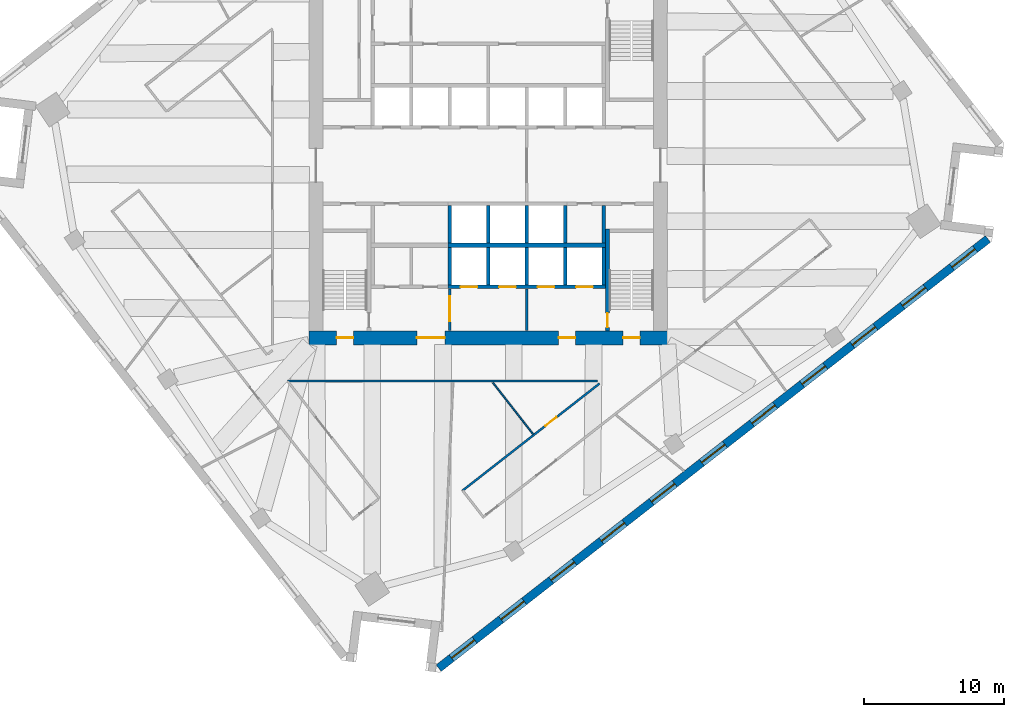
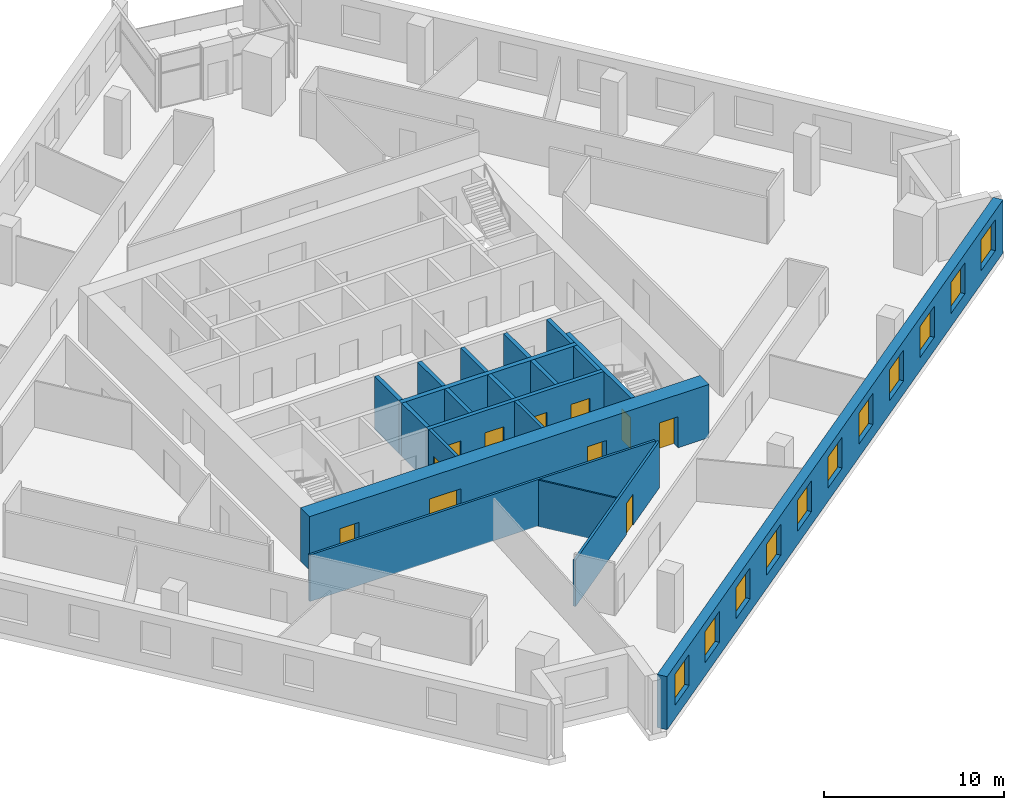
# One storey, part 5 of 11: 20 walls, 11 doors, 11 windows, 22 openings.
"""IFC4 building model written with IfcOpenShell, lengths in metres."""

from ifc_helpers import new_model, si_unit, direction, frame, frame_2d, origin, place, context, subcontext, project, spatial, rectangle, extrude, material, layer, layer_set, type_object, element, fill, save


model = new_model("IFC4")

# Units and contexts
model_context = context("Model", 3, precision=1e-05, world=origin(), true_north=direction((0.0, 1.0)))
body_context = subcontext(model_context, "Body", "Model", "MODEL_VIEW")
ifc_project = project(units=[si_unit("LENGTHUNIT", "METRE"), si_unit("AREAUNIT", "SQUARE_METRE"), si_unit("VOLUMEUNIT", "CUBIC_METRE"), si_unit("PLANEANGLEUNIT", "RADIAN"), si_unit("MASSUNIT", "GRAM", prefix="KILO")], contexts=[model_context])

# Site, building, storey
site_placement = place(None, origin())
site = spatial("IfcSite", under=ifc_project, at=site_placement, CompositionType="ELEMENT")
building_placement = place(site_placement, origin())
building = spatial("IfcBuilding", under=site, at=building_placement, Name="Dilmun Exchange Tower", CompositionType="ELEMENT")
storey_placement = place(building_placement, frame((0.0, 0.0, 179.699951171875)))
storey = spatial("IfcBuildingStorey", under=building, at=storey_placement, Name="L42", CompositionType="ELEMENT", Elevation=179.699951171875)

# Wall, opening, door
ifc_material_1 = material(Name="Concrete C40/50", Category="concrete")
ifc_layer_1 = layer(ifc_material_1, 0.199951171875)
ifc_layer_set_1 = layer_set([ifc_layer_1], Name="Concrete C40/50")
wall_type_1 = type_object("IfcWallType", Name="Core partition wall 200", PredefinedType="PARTITIONING", material=ifc_layer_set_1)
wall_1_placement = place(storey_placement, frame((-2.75, -11.794921875, 0.0), z_axis=(0.0, 0.0, 1.0), x_axis=(0.0, 1.0, 0.0)))
wall_1 = element("IfcWall", 1, at=wall_1_placement, inside=storey, type_object=wall_type_1, Name="L42 core partition wall 01", PredefinedType="PARTITIONING", context=body_context, shape_type="SweptSolid", body=[
    extrude(rectangle(XDim=2.989990234375, YDim=0.199951171875, at=frame_2d((1.4951171875, 0.0))), origin(), (0.0, 0.0, 1.0), 3.60009765625),
])
opening_1_placement = place(wall_1_placement, frame((0.657470703125, 0.0, 0.0)))
opening_1 = element("IfcOpeningElement", 2, at=opening_1_placement, cuts=wall_1, Name="Opening CD5", PredefinedType="OPENING", context=body_context, shape_type="SweptSolid", body=[
    extrude(rectangle(XDim=1.800048828125, YDim=2.10009765625, at=frame_2d((0.89990234375, 1.050048828125))), frame((0.0, 0.10986328125, 0.0), z_axis=(0.0, -1.0, 0.0), x_axis=(1.0, 0.0, 0.0)), (0.0, 0.0, 1.0), 0.219970703125),
])
ifc_material_2 = material(Name="Fire-rated steel door set", Category="steel")
door_type_1 = type_object("IfcDoorType", Name="Stair exit door 1800x2100", OperationType="SINGLE_SWING_LEFT", PredefinedType="DOOR", material=ifc_material_2)
door_1_placement = place(opening_1_placement, origin())
door_1 = element("IfcDoor", 3, at=door_1_placement, inside=storey, type_object=door_type_1, Name="L42 door Service lobby east", OperationType="SINGLE_SWING_LEFT", OverallHeight=2.10009765625, OverallWidth=1.800048828125, PredefinedType="DOOR", context=body_context, shape_type="SweptSolid", body=[
    extrude(rectangle(XDim=1.800048828125, YDim=2.10009765625, at=frame_2d((0.89990234375, 1.050048828125))), frame((0.0, 0.02490234375, 0.0), z_axis=(0.0, -1.0, 0.0), x_axis=(1.0, 0.0, 0.0)), (0.0, 0.0, 1.0), 0.050048828125),
])
fill(opening_1, door_1)

# Walls
wall_2_placement = place(storey_placement, frame((2.75, -11.794921875, 0.0), z_axis=(0.0, 0.0, 1.0), x_axis=(0.0, 1.0, 0.0)))
element("IfcWall", 4, at=wall_2_placement, inside=storey, type_object=wall_type_1, Name="L42 core partition wall 02", PredefinedType="PARTITIONING", context=body_context, shape_type="SweptSolid", body=[
    extrude(rectangle(XDim=2.989990234375, YDim=0.199951171875, at=frame_2d((1.4951171875, 0.0))), origin(), (0.0, 0.0, 1.0), 3.60009765625),
])
ifc_layer_2 = layer(ifc_material_1, 0.25)
ifc_layer_set_2 = layer_set([ifc_layer_2], Name="Concrete C40/50")
wall_type_2 = type_object("IfcWallType", Name="Core partition wall 250", PredefinedType="PARTITIONING", material=ifc_layer_set_2)
wall_3_placement = place(storey_placement, frame((8.25, -5.544921875, 0.0), z_axis=(0.0, 0.0, 1.0), x_axis=(0.0, 1.0, 0.0)))
element("IfcWall", 5, at=wall_3_placement, inside=storey, type_object=wall_type_2, Name="L42 core partition wall 08", PredefinedType="PARTITIONING", context=body_context, shape_type="SweptSolid", body=[
    extrude(rectangle(XDim=2.68994140625, YDim=0.25, at=frame_2d((1.344970703125, 0.0))), origin(), (0.0, 0.0, 1.0), 3.60009765625),
])

# Wall, openings, doors
ifc_material_3 = material(Name="Concrete C70/85", Category="concrete")
ifc_layer_3 = layer(ifc_material_3, 1.0)
ifc_layer_set_3 = layer_set([ifc_layer_3], Name="Concrete C70/85")
wall_type_3 = type_object("IfcWallType", Name="Core shear wall 1000 Concrete C70/85", PredefinedType="SHEAR", material=ifc_layer_set_3)
wall_4_placement = place(storey_placement, frame((-12.800048828125, -12.300048828125, 0.0), z_axis=(0.0, 0.0, 1.0), x_axis=(1.0, 0.0, 0.0)))
wall_4 = element("IfcWall", 6, at=wall_4_placement, inside=storey, type_object=wall_type_3, Name="L42 core shear wall S", PredefinedType="SHEAR", context=body_context, shape_type="SweptSolid", body=[
    extrude(rectangle(XDim=25.60009765625, YDim=1.0, at=frame_2d((12.800048828125, 0.0))), origin(), (0.0, 0.0, 1.0), 3.60009765625),
])
opening_2_placement = place(wall_4_placement, frame((7.699951171875, 0.0, 0.0)))
opening_2 = element("IfcOpeningElement", 7, at=opening_2_placement, cuts=wall_4, Name="Opening CD2", PredefinedType="OPENING", context=body_context, shape_type="SweptSolid", body=[
    extrude(rectangle(XDim=2.0, YDim=2.10009765625, at=frame_2d((1.0, 1.050048828125))), frame((0.0, 0.510009765625, 0.0), z_axis=(0.0, -1.0, 0.0), x_axis=(1.0, 0.0, 0.0)), (0.0, 0.0, 1.0), 1.02001953125),
])
opening_3_placement = place(wall_4_placement, frame((17.824951171875, 0.0, 0.0)))
opening_3 = element("IfcOpeningElement", 8, at=opening_3_placement, cuts=wall_4, Name="Opening CD3", PredefinedType="OPENING", context=body_context, shape_type="SweptSolid", body=[
    extrude(rectangle(XDim=1.199951171875, YDim=2.10009765625, at=frame_2d((0.60009765625, 1.050048828125))), frame((0.0, 0.510009765625, 0.0), z_axis=(0.0, -1.0, 0.0), x_axis=(1.0, 0.0, 0.0)), (0.0, 0.0, 1.0), 1.02001953125),
])
opening_4_placement = place(wall_4_placement, frame((1.97509765625, 0.0, 0.0)))
opening_4 = element("IfcOpeningElement", 9, at=opening_4_placement, cuts=wall_4, Name="Opening CD3", PredefinedType="OPENING", context=body_context, shape_type="SweptSolid", body=[
    extrude(rectangle(XDim=1.199951171875, YDim=2.10009765625, at=frame_2d((0.60009765625, 1.050048828125))), frame((0.0, 0.510009765625, 0.0), z_axis=(0.0, -1.0, 0.0), x_axis=(1.0, 0.0, 0.0)), (0.0, 0.0, 1.0), 1.02001953125),
])
opening_5_placement = place(wall_4_placement, frame((22.425048828125, 0.0, 0.0)))
opening_5 = element("IfcOpeningElement", 10, at=opening_5_placement, cuts=wall_4, Name="Opening CD3", PredefinedType="OPENING", context=body_context, shape_type="SweptSolid", body=[
    extrude(rectangle(XDim=1.199951171875, YDim=2.10009765625, at=frame_2d((0.60009765625, 1.050048828125))), frame((0.0, 0.510009765625, 0.0), z_axis=(0.0, -1.0, 0.0), x_axis=(1.0, 0.0, 0.0)), (0.0, 0.0, 1.0), 1.02001953125),
])
door_type_2 = type_object("IfcDoorType", Name="Core service door 2000x2100", OperationType="DOUBLE_DOOR_DOUBLE_SWING", PredefinedType="DOOR", material=ifc_material_2)
door_2_placement = place(opening_2_placement, origin())
door_2 = element("IfcDoor", 11, at=door_2_placement, inside=storey, type_object=door_type_2, Name="L42 door South service lobby", OperationType="SINGLE_SWING_LEFT", OverallHeight=2.10009765625, OverallWidth=2.0, PredefinedType="DOOR", context=body_context, shape_type="SweptSolid", body=[
    extrude(rectangle(XDim=2.0, YDim=2.10009765625, at=frame_2d((1.0, 1.050048828125))), frame((0.0, 0.02490234375, 0.0), z_axis=(0.0, -1.0, 0.0), x_axis=(1.0, 0.0, 0.0)), (0.0, 0.0, 1.0), 0.050048828125),
])
fill(opening_2, door_2)
door_type_3 = type_object("IfcDoorType", Name="Stair exit door 1200x2100", OperationType="SINGLE_SWING_LEFT", PredefinedType="DOOR", material=ifc_material_2)
door_3_placement = place(opening_3_placement, origin())
door_3 = element("IfcDoor", 12, at=door_3_placement, inside=storey, type_object=door_type_3, Name="L42 door Fire-fighting lobby", OperationType="SINGLE_SWING_LEFT", OverallHeight=2.10009765625, OverallWidth=1.199951171875, PredefinedType="DOOR", context=body_context, shape_type="SweptSolid", body=[
    extrude(rectangle(XDim=1.199951171875, YDim=2.10009765625, at=frame_2d((0.60009765625, 1.050048828125))), frame((0.0, 0.02490234375, 0.0), z_axis=(0.0, -1.0, 0.0), x_axis=(1.0, 0.0, 0.0)), (0.0, 0.0, 1.0), 0.050048828125),
])
fill(opening_3, door_3)
door_4_placement = place(opening_4_placement, origin())
door_4 = element("IfcDoor", 13, at=door_4_placement, inside=storey, type_object=door_type_3, Name="L42 door Stair ST2", OperationType="SINGLE_SWING_LEFT", OverallHeight=2.10009765625, OverallWidth=1.199951171875, PredefinedType="DOOR", context=body_context, shape_type="SweptSolid", body=[
    extrude(rectangle(XDim=1.199951171875, YDim=2.10009765625, at=frame_2d((0.60009765625, 1.050048828125))), frame((0.0, 0.02490234375, 0.0), z_axis=(0.0, -1.0, 0.0), x_axis=(1.0, 0.0, 0.0)), (0.0, 0.0, 1.0), 0.050048828125),
])
fill(opening_4, door_4)
door_5_placement = place(opening_5_placement, origin())
door_5 = element("IfcDoor", 14, at=door_5_placement, inside=storey, type_object=door_type_3, Name="L42 door Stair ST3", OperationType="SINGLE_SWING_LEFT", OverallHeight=2.10009765625, OverallWidth=1.199951171875, PredefinedType="DOOR", context=body_context, shape_type="SweptSolid", body=[
    extrude(rectangle(XDim=1.199951171875, YDim=2.10009765625, at=frame_2d((0.60009765625, 1.050048828125))), frame((0.0, 0.02490234375, 0.0), z_axis=(0.0, -1.0, 0.0), x_axis=(1.0, 0.0, 0.0)), (0.0, 0.0, 1.0), 0.050048828125),
])
fill(opening_5, door_5)

# Wall
ifc_material_4 = material(Name="Corridor wall 150")
ifc_layer_4 = layer(ifc_material_4, 0.14990234375)
ifc_layer_set_4 = layer_set([ifc_layer_4], Name="Corridor wall 150")
wall_type_4 = type_object("IfcWallType", Name="Corridor wall 150", PredefinedType="PARTITIONING", material=ifc_layer_set_4)
wall_5_placement = place(storey_placement, frame((-14.31201171875, -15.39990234375, 0.0), z_axis=(0.0, 0.0, 1.0), x_axis=(1.0, 0.0, 0.0)))
element("IfcWall", 15, at=wall_5_placement, inside=storey, type_object=wall_type_4, Name="Corridor wall", PredefinedType="PARTITIONING", context=body_context, shape_type="SweptSolid", body=[
    extrude(rectangle(XDim=22.125, YDim=0.14990234375, at=frame_2d((11.0625, 0.0))), origin(), (0.0, 0.0, 1.0), 3.150146484375),
])

# Wall, opening, door
wall_6_placement = place(storey_placement, frame((-1.824951171875, -23.202880859375, 0.0), z_axis=(0.0, 0.0, 1.0), x_axis=(0.788016612455, 0.615653976269, 0.0)))
wall_6 = element("IfcWall", 16, at=wall_6_placement, inside=storey, type_object=wall_type_4, Name="Corridor wall", PredefinedType="PARTITIONING", context=body_context, shape_type="SweptSolid", body=[
    extrude(rectangle(XDim=12.3994140625, YDim=0.14990234375, at=frame_2d((6.19970703125, 0.0))), origin(), (0.0, 0.0, 1.0), 3.150146484375),
])
opening_6_placement = place(wall_6_placement, frame((7.4921875, 0.0, 0.0)))
opening_6 = element("IfcOpeningElement", 17, at=opening_6_placement, cuts=wall_6, Name="Opening TF41-D12", PredefinedType="OPENING", context=body_context, shape_type="SweptSolid", body=[
    extrude(rectangle(XDim=1.0, YDim=2.10009765625, at=frame_2d((0.5, 1.050048828125))), frame((0.0, 0.0849609375, 0.0), z_axis=(0.0, -1.0, 0.0), x_axis=(1.0, 0.0, 0.0)), (0.0, 0.0, 1.0), 0.169921875),
])
ifc_material_5 = material(Name="Fire door 1000 x 2100")
door_type_4 = type_object("IfcDoorType", Name="Fire door 1000 x 2100", OperationType="NOTDEFINED", PredefinedType="DOOR", material=ifc_material_5)
door_6_placement = place(opening_6_placement, origin())
door_6 = element("IfcDoor", 18, at=door_6_placement, inside=storey, type_object=door_type_4, Name="Door TF41-D12", OperationType="SINGLE_SWING_LEFT", OverallHeight=2.10009765625, OverallWidth=1.0, PredefinedType="DOOR", context=body_context, shape_type="SweptSolid", body=[
    extrude(rectangle(XDim=1.0, YDim=2.10009765625, at=frame_2d((0.5, 1.050048828125))), frame((0.0, 0.02490234375, 0.0), z_axis=(0.0, -1.0, 0.0), x_axis=(1.0, 0.0, 0.0)), (0.0, 0.0, 1.0), 0.050048828125),
])
fill(opening_6, door_6)

# Walls
ifc_layer_5 = layer(ifc_material_1, 0.300048828125)
ifc_layer_set_5 = layer_set([ifc_layer_5], Name="Concrete C40/50")
wall_type_5 = type_object("IfcWallType", Name="Lift shaft shared wall 300", PredefinedType="SOLIDWALL", material=ifc_layer_set_5)
wall_7_placement = place(storey_placement, frame((-2.875, -5.699951171875, 0.0), z_axis=(0.0, 0.0, 1.0), x_axis=(1.0, 0.0, 0.0)))
element("IfcWall", 19, at=wall_7_placement, inside=storey, type_object=wall_type_5, Name="L42 lift shaft rear wall S", PredefinedType="SOLIDWALL", context=body_context, shape_type="SweptSolid", body=[
    extrude(rectangle(XDim=11.25, YDim=0.300048828125, at=frame_2d((5.625, 0.0))), origin(), (0.0, 0.0, 1.0), 3.60009765625),
])
ifc_layer_6 = layer(ifc_material_1, 0.25)
ifc_layer_set_6 = layer_set([ifc_layer_6], Name="Concrete C40/50")
wall_type_6 = type_object("IfcWallType", Name="Lift shaft wall 250", PredefinedType="SOLIDWALL", material=ifc_layer_set_6)
for number, where, z_axis, x_axis, name in (
    (20, (-2.75, -5.550048828125, 0.0), (0.0, 0.0, 1.0), (0.0, 1.0, 0.0), "L42 lift shaft divider S12"),
    (21, (0.0, -5.550048828125, 0.0), (0.0, 0.0, 1.0), (0.0, 1.0, 0.0), "L42 lift shaft divider S13"),
    (22, (2.75, -5.550048828125, 0.0), (0.0, 0.0, 1.0), (0.0, 1.0, 0.0), "L42 lift shaft divider S14"),
    (23, (5.5, -5.550048828125, 0.0), (0.0, 0.0, 1.0), (0.0, 1.0, 0.0), "L42 lift shaft divider S15"),
):
    element("IfcWall", number, at=place(storey_placement, frame(where, z_axis=z_axis, x_axis=x_axis)), inside=storey, type_object=wall_type_6, Name=name, PredefinedType="SOLIDWALL", context=body_context, shape_type="SweptSolid", body=[
        extrude(rectangle(XDim=2.699951171875, YDim=0.25, at=frame_2d((1.35009765625, 0.0))), origin(), (0.0, 0.0, 1.0), 3.60009765625),
    ])

# Wall, openings, doors
wall_8_placement = place(storey_placement, frame((-2.875, -8.675048828125, 0.0), z_axis=(0.0, 0.0, 1.0), x_axis=(1.0, 0.0, 0.0)))
wall_8 = element("IfcWall", 24, at=wall_8_placement, inside=storey, type_object=wall_type_6, Name="L42 lift shaft front wall S2", PredefinedType="SOLIDWALL", context=body_context, shape_type="SweptSolid", body=[
    extrude(rectangle(XDim=11.25, YDim=0.25, at=frame_2d((5.625, 0.0))), origin(), (0.0, 0.0, 1.0), 3.60009765625),
])
opening_7_placement = place(wall_8_placement, frame((0.89990234375, 0.0, 0.0)))
opening_7 = element("IfcOpeningElement", 25, at=opening_7_placement, cuts=wall_8, Name="Opening LD", PredefinedType="OPENING", context=body_context, shape_type="SweptSolid", body=[
    extrude(rectangle(XDim=1.199951171875, YDim=2.10009765625, at=frame_2d((0.60009765625, 1.050048828125))), frame((0.0, 0.135009765625, 0.0), z_axis=(0.0, -1.0, 0.0), x_axis=(1.0, 0.0, 0.0)), (0.0, 0.0, 1.0), 0.27001953125),
])
opening_8_placement = place(wall_8_placement, frame((3.64990234375, 0.0, 0.0)))
opening_8 = element("IfcOpeningElement", 26, at=opening_8_placement, cuts=wall_8, Name="Opening LD", PredefinedType="OPENING", context=body_context, shape_type="SweptSolid", body=[
    extrude(rectangle(XDim=1.199951171875, YDim=2.10009765625, at=frame_2d((0.60009765625, 1.050048828125))), frame((0.0, 0.135009765625, 0.0), z_axis=(0.0, -1.0, 0.0), x_axis=(1.0, 0.0, 0.0)), (0.0, 0.0, 1.0), 0.27001953125),
])
opening_9_placement = place(wall_8_placement, frame((6.39990234375, 0.0, 0.0)))
opening_9 = element("IfcOpeningElement", 27, at=opening_9_placement, cuts=wall_8, Name="Opening LD", PredefinedType="OPENING", context=body_context, shape_type="SweptSolid", body=[
    extrude(rectangle(XDim=1.199951171875, YDim=2.10009765625, at=frame_2d((0.60009765625, 1.050048828125))), frame((0.0, 0.135009765625, 0.0), z_axis=(0.0, -1.0, 0.0), x_axis=(1.0, 0.0, 0.0)), (0.0, 0.0, 1.0), 0.27001953125),
])
opening_10_placement = place(wall_8_placement, frame((9.14990234375, 0.0, 0.0)))
opening_10 = element("IfcOpeningElement", 28, at=opening_10_placement, cuts=wall_8, Name="Opening LD", PredefinedType="OPENING", context=body_context, shape_type="SweptSolid", body=[
    extrude(rectangle(XDim=1.199951171875, YDim=2.10009765625, at=frame_2d((0.60009765625, 1.050048828125))), frame((0.0, 0.135009765625, 0.0), z_axis=(0.0, -1.0, 0.0), x_axis=(1.0, 0.0, 0.0)), (0.0, 0.0, 1.0), 0.27001953125),
])
door_type_5 = type_object("IfcDoorType", Name="Lift landing door 1200x2100", OperationType="DOUBLE_DOOR_SLIDING", PredefinedType="DOOR", material=ifc_material_2)
door_7_placement = place(opening_7_placement, origin())
door_7 = element("IfcDoor", 29, at=door_7_placement, inside=storey, type_object=door_type_5, Name="L42 landing door SV1", OperationType="DOUBLE_DOOR_SLIDING", OverallHeight=2.10009765625, OverallWidth=1.199951171875, PredefinedType="DOOR", context=body_context, shape_type="SweptSolid", body=[
    extrude(rectangle(XDim=1.199951171875, YDim=2.10009765625, at=frame_2d((0.60009765625, 1.050048828125))), frame((0.0, 0.02490234375, 0.0), z_axis=(0.0, -1.0, 0.0), x_axis=(1.0, 0.0, 0.0)), (0.0, 0.0, 1.0), 0.050048828125),
])
fill(opening_7, door_7)
door_8_placement = place(opening_8_placement, origin())
door_8 = element("IfcDoor", 30, at=door_8_placement, inside=storey, type_object=door_type_5, Name="L42 landing door SV2", OperationType="DOUBLE_DOOR_SLIDING", OverallHeight=2.10009765625, OverallWidth=1.199951171875, PredefinedType="DOOR", context=body_context, shape_type="SweptSolid", body=[
    extrude(rectangle(XDim=1.199951171875, YDim=2.10009765625, at=frame_2d((0.60009765625, 1.050048828125))), frame((0.0, 0.02490234375, 0.0), z_axis=(0.0, -1.0, 0.0), x_axis=(1.0, 0.0, 0.0)), (0.0, 0.0, 1.0), 0.050048828125),
])
fill(opening_8, door_8)
door_9_placement = place(opening_9_placement, origin())
door_9 = element("IfcDoor", 31, at=door_9_placement, inside=storey, type_object=door_type_5, Name="L42 landing door FF1", OperationType="DOUBLE_DOOR_SLIDING", OverallHeight=2.10009765625, OverallWidth=1.199951171875, PredefinedType="DOOR", context=body_context, shape_type="SweptSolid", body=[
    extrude(rectangle(XDim=1.199951171875, YDim=2.10009765625, at=frame_2d((0.60009765625, 1.050048828125))), frame((0.0, 0.02490234375, 0.0), z_axis=(0.0, -1.0, 0.0), x_axis=(1.0, 0.0, 0.0)), (0.0, 0.0, 1.0), 0.050048828125),
])
fill(opening_9, door_9)
door_10_placement = place(opening_10_placement, origin())
door_10 = element("IfcDoor", 32, at=door_10_placement, inside=storey, type_object=door_type_5, Name="L42 landing door FF2", OperationType="DOUBLE_DOOR_SLIDING", OverallHeight=2.10009765625, OverallWidth=1.199951171875, PredefinedType="DOOR", context=body_context, shape_type="SweptSolid", body=[
    extrude(rectangle(XDim=1.199951171875, YDim=2.10009765625, at=frame_2d((0.60009765625, 1.050048828125))), frame((0.0, 0.02490234375, 0.0), z_axis=(0.0, -1.0, 0.0), x_axis=(1.0, 0.0, 0.0)), (0.0, 0.0, 1.0), 0.050048828125),
])
fill(opening_10, door_10)

# Walls
for number, where, z_axis, x_axis, name in (
    (33, (-2.75, -8.550048828125, 0.0), (0.0, 0.0, 1.0), (0.0, 1.0, 0.0), "L42 lift shaft divider S22"),
    (34, (0.0, -8.550048828125, 0.0), (0.0, 0.0, 1.0), (0.0, 1.0, 0.0), "L42 lift shaft divider S23"),
    (35, (2.75, -8.550048828125, 0.0), (0.0, 0.0, 1.0), (0.0, 1.0, 0.0), "L42 lift shaft divider S24"),
    (36, (5.5, -8.550048828125, 0.0), (0.0, 0.0, 1.0), (0.0, 1.0, 0.0), "L42 lift shaft divider S25"),
    (37, (8.25, -8.550048828125, 0.0), (0.0, 0.0, 1.0), (0.0, 1.0, 0.0), "L42 lift shaft divider S26"),
):
    element("IfcWall", number, at=place(storey_placement, frame(where, z_axis=z_axis, x_axis=x_axis)), inside=storey, type_object=wall_type_6, Name=name, PredefinedType="SOLIDWALL", context=body_context, shape_type="SweptSolid", body=[
        extrude(rectangle(XDim=2.699951171875, YDim=0.25, at=frame_2d((1.35009765625, 0.0))), origin(), (0.0, 0.0, 1.0), 3.60009765625),
    ])
ifc_material_6 = material(Name="Partition 100")
ifc_layer_7 = layer(ifc_material_6, 0.10009765625)
ifc_layer_set_7 = layer_set([ifc_layer_7], Name="Partition 100")
wall_type_7 = type_object("IfcWallType", Name="Partition 100", PredefinedType="PARTITIONING", material=ifc_layer_set_7)
wall_9_placement = place(storey_placement, frame((0.336669921875, -15.505859375, 0.0), z_axis=(0.0, 0.0, 1.0), x_axis=(0.615683690883, -0.787993396407, 0.0)))
element("IfcWall", 38, at=wall_9_placement, inside=storey, type_object=wall_type_7, Name="Partition", PredefinedType="PARTITIONING", context=body_context, shape_type="SweptSolid", body=[
    extrude(rectangle(XDim=4.66015625, YDim=0.10009765625, at=frame_2d((2.330078125, 0.0))), origin(), (0.0, 0.0, 1.0), 3.150146484375),
])

# Wall, openings, windows
ifc_material_7 = material(Name="Precast concrete C50/60", Category="concrete")
ifc_layer_8 = layer(ifc_material_7, 0.60009765625)
ifc_layer_set_8 = layer_set([ifc_layer_8], Name="Precast concrete C50/60")
wall_type_8 = type_object("IfcWallType", Name="Precast stone-clad wall 600", PredefinedType="STANDARD", material=ifc_layer_set_8)
wall_10_placement = place(storey_placement, frame((-3.53369140625, -35.882080078125, 0.0), z_axis=(0.0, 0.0, 1.0), x_axis=(0.788011205374, 0.61566089709, 0.0)))
wall_10 = element("IfcWall", 39, at=wall_10_placement, inside=storey, type_object=wall_type_8, Name="Facade wall L42-15", PredefinedType="STANDARD", context=body_context, shape_type="SweptSolid", body=[
    extrude(rectangle(XDim=49.751708984375, YDim=0.60009765625, at=frame_2d((24.8759765625, 0.0))), origin(), (0.0, 0.0, 1.0), 3.60009765625),
])
opening_11_placement = place(wall_10_placement, frame((1.16064453125, 0.0, 0.89990234375)))
opening_11 = element("IfcOpeningElement", 40, at=opening_11_placement, cuts=wall_10, Name="Opening W210-210", PredefinedType="OPENING", context=body_context, shape_type="SweptSolid", body=[
    extrude(rectangle(XDim=2.10009765625, YDim=2.10009765625, at=frame_2d((1.050048828125, 1.050048828125))), frame((0.0, 0.31005859375, 0.0), z_axis=(0.0, -1.0, 0.0), x_axis=(1.0, 0.0, 0.0)), (0.0, 0.0, 1.0), 0.6201171875),
])
opening_12_placement = place(wall_10_placement, frame((5.643798828125, 0.0, 0.89990234375)))
opening_12 = element("IfcOpeningElement", 41, at=opening_12_placement, cuts=wall_10, Name="Opening W210-210", PredefinedType="OPENING", context=body_context, shape_type="SweptSolid", body=[
    extrude(rectangle(XDim=2.10009765625, YDim=2.10009765625, at=frame_2d((1.050048828125, 1.050048828125))), frame((0.0, 0.31005859375, 0.0), z_axis=(0.0, -1.0, 0.0), x_axis=(1.0, 0.0, 0.0)), (0.0, 0.0, 1.0), 0.6201171875),
])
opening_13_placement = place(wall_10_placement, frame((10.189453125, 0.0, 0.89990234375)))
opening_13 = element("IfcOpeningElement", 42, at=opening_13_placement, cuts=wall_10, Name="Opening W210-210", PredefinedType="OPENING", context=body_context, shape_type="SweptSolid", body=[
    extrude(rectangle(XDim=2.10009765625, YDim=2.10009765625, at=frame_2d((1.050048828125, 1.050048828125))), frame((0.0, 0.31005859375, 0.0), z_axis=(0.0, -1.0, 0.0), x_axis=(1.0, 0.0, 0.0)), (0.0, 0.0, 1.0), 0.6201171875),
])
opening_14_placement = place(wall_10_placement, frame((14.73486328125, 0.0, 0.89990234375)))
opening_14 = element("IfcOpeningElement", 43, at=opening_14_placement, cuts=wall_10, Name="Opening W210-210", PredefinedType="OPENING", context=body_context, shape_type="SweptSolid", body=[
    extrude(rectangle(XDim=2.10009765625, YDim=2.10009765625, at=frame_2d((1.050048828125, 1.050048828125))), frame((0.0, 0.31005859375, 0.0), z_axis=(0.0, -1.0, 0.0), x_axis=(1.0, 0.0, 0.0)), (0.0, 0.0, 1.0), 0.6201171875),
])
opening_15_placement = place(wall_10_placement, frame((19.2802734375, 0.0, 0.89990234375)))
opening_15 = element("IfcOpeningElement", 44, at=opening_15_placement, cuts=wall_10, Name="Opening W210-210", PredefinedType="OPENING", context=body_context, shape_type="SweptSolid", body=[
    extrude(rectangle(XDim=2.10009765625, YDim=2.10009765625, at=frame_2d((1.050048828125, 1.050048828125))), frame((0.0, 0.31005859375, 0.0), z_axis=(0.0, -1.0, 0.0), x_axis=(1.0, 0.0, 0.0)), (0.0, 0.0, 1.0), 0.6201171875),
])
opening_16_placement = place(wall_10_placement, frame((23.82568359375, 0.0, 0.89990234375)))
opening_16 = element("IfcOpeningElement", 45, at=opening_16_placement, cuts=wall_10, Name="Opening W210-210", PredefinedType="OPENING", context=body_context, shape_type="SweptSolid", body=[
    extrude(rectangle(XDim=2.10009765625, YDim=2.10009765625, at=frame_2d((1.050048828125, 1.050048828125))), frame((0.0, 0.31005859375, 0.0), z_axis=(0.0, -1.0, 0.0), x_axis=(1.0, 0.0, 0.0)), (0.0, 0.0, 1.0), 0.6201171875),
])
opening_17_placement = place(wall_10_placement, frame((28.37109375, 0.0, 0.89990234375)))
opening_17 = element("IfcOpeningElement", 46, at=opening_17_placement, cuts=wall_10, Name="Opening W210-210", PredefinedType="OPENING", context=body_context, shape_type="SweptSolid", body=[
    extrude(rectangle(XDim=2.10009765625, YDim=2.10009765625, at=frame_2d((1.050048828125, 1.050048828125))), frame((0.0, 0.31005859375, 0.0), z_axis=(0.0, -1.0, 0.0), x_axis=(1.0, 0.0, 0.0)), (0.0, 0.0, 1.0), 0.6201171875),
])
opening_18_placement = place(wall_10_placement, frame((32.91650390625, 0.0, 0.89990234375)))
opening_18 = element("IfcOpeningElement", 47, at=opening_18_placement, cuts=wall_10, Name="Opening W210-210", PredefinedType="OPENING", context=body_context, shape_type="SweptSolid", body=[
    extrude(rectangle(XDim=2.10009765625, YDim=2.10009765625, at=frame_2d((1.050048828125, 1.050048828125))), frame((0.0, 0.31005859375, 0.0), z_axis=(0.0, -1.0, 0.0), x_axis=(1.0, 0.0, 0.0)), (0.0, 0.0, 1.0), 0.6201171875),
])
opening_19_placement = place(wall_10_placement, frame((37.462158203125, 0.0, 0.89990234375)))
opening_19 = element("IfcOpeningElement", 48, at=opening_19_placement, cuts=wall_10, Name="Opening W210-210", PredefinedType="OPENING", context=body_context, shape_type="SweptSolid", body=[
    extrude(rectangle(XDim=2.10009765625, YDim=2.10009765625, at=frame_2d((1.050048828125, 1.050048828125))), frame((0.0, 0.31005859375, 0.0), z_axis=(0.0, -1.0, 0.0), x_axis=(1.0, 0.0, 0.0)), (0.0, 0.0, 1.0), 0.6201171875),
])
opening_20_placement = place(wall_10_placement, frame((42.007568359375, 0.0, 0.89990234375)))
opening_20 = element("IfcOpeningElement", 49, at=opening_20_placement, cuts=wall_10, Name="Opening W210-210", PredefinedType="OPENING", context=body_context, shape_type="SweptSolid", body=[
    extrude(rectangle(XDim=2.10009765625, YDim=2.10009765625, at=frame_2d((1.050048828125, 1.050048828125))), frame((0.0, 0.31005859375, 0.0), z_axis=(0.0, -1.0, 0.0), x_axis=(1.0, 0.0, 0.0)), (0.0, 0.0, 1.0), 0.6201171875),
])
opening_21_placement = place(wall_10_placement, frame((46.490966796875, 0.0, 0.89990234375)))
opening_21 = element("IfcOpeningElement", 50, at=opening_21_placement, cuts=wall_10, Name="Opening W210-210", PredefinedType="OPENING", context=body_context, shape_type="SweptSolid", body=[
    extrude(rectangle(XDim=2.10009765625, YDim=2.10009765625, at=frame_2d((1.050048828125, 1.050048828125))), frame((0.0, 0.31005859375, 0.0), z_axis=(0.0, -1.0, 0.0), x_axis=(1.0, 0.0, 0.0)), (0.0, 0.0, 1.0), 0.6201171875),
])
ifc_material_8 = material(Name="Clear low-emissivity glass in aluminium frame", Category="aluminium")
window_type = type_object("IfcWindowType", Name="Punched window 2100 x 2100", PartitioningType="DOUBLE_PANEL_VERTICAL", PredefinedType="WINDOW", material=ifc_material_8)
window_1_placement = place(opening_11_placement, origin())
window_1 = element("IfcWindow", 51, at=window_1_placement, inside=storey, type_object=window_type, Name="Window 16.1", OverallHeight=2.10009765625, OverallWidth=2.10009765625, PartitioningType="SINGLE_PANEL", PredefinedType="WINDOW", context=body_context, shape_type="SweptSolid", body=[
    extrude(rectangle(XDim=2.10009765625, YDim=2.10009765625, at=frame_2d((1.050048828125, 1.050048828125))), frame((0.0, 0.030029296875, 0.0), z_axis=(0.0, -1.0, 0.0), x_axis=(1.0, 0.0, 0.0)), (0.0, 0.0, 1.0), 0.06005859375),
])
fill(opening_11, window_1)
window_2_placement = place(opening_12_placement, origin())
window_2 = element("IfcWindow", 52, at=window_2_placement, inside=storey, type_object=window_type, Name="Window 16.2", OverallHeight=2.10009765625, OverallWidth=2.10009765625, PartitioningType="SINGLE_PANEL", PredefinedType="WINDOW", context=body_context, shape_type="SweptSolid", body=[
    extrude(rectangle(XDim=2.10009765625, YDim=2.10009765625, at=frame_2d((1.050048828125, 1.050048828125))), frame((0.0, 0.030029296875, 0.0), z_axis=(0.0, -1.0, 0.0), x_axis=(1.0, 0.0, 0.0)), (0.0, 0.0, 1.0), 0.06005859375),
])
fill(opening_12, window_2)
window_3_placement = place(opening_13_placement, origin())
window_3 = element("IfcWindow", 53, at=window_3_placement, inside=storey, type_object=window_type, Name="Window 16.3", OverallHeight=2.10009765625, OverallWidth=2.10009765625, PartitioningType="SINGLE_PANEL", PredefinedType="WINDOW", context=body_context, shape_type="SweptSolid", body=[
    extrude(rectangle(XDim=2.10009765625, YDim=2.10009765625, at=frame_2d((1.050048828125, 1.050048828125))), frame((0.0, 0.030029296875, 0.0), z_axis=(0.0, -1.0, 0.0), x_axis=(1.0, 0.0, 0.0)), (0.0, 0.0, 1.0), 0.06005859375),
])
fill(opening_13, window_3)
window_4_placement = place(opening_14_placement, origin())
window_4 = element("IfcWindow", 54, at=window_4_placement, inside=storey, type_object=window_type, Name="Window 16.4", OverallHeight=2.10009765625, OverallWidth=2.10009765625, PartitioningType="SINGLE_PANEL", PredefinedType="WINDOW", context=body_context, shape_type="SweptSolid", body=[
    extrude(rectangle(XDim=2.10009765625, YDim=2.10009765625, at=frame_2d((1.050048828125, 1.050048828125))), frame((0.0, 0.030029296875, 0.0), z_axis=(0.0, -1.0, 0.0), x_axis=(1.0, 0.0, 0.0)), (0.0, 0.0, 1.0), 0.06005859375),
])
fill(opening_14, window_4)
window_5_placement = place(opening_15_placement, origin())
window_5 = element("IfcWindow", 55, at=window_5_placement, inside=storey, type_object=window_type, Name="Window 16.5", OverallHeight=2.10009765625, OverallWidth=2.10009765625, PartitioningType="SINGLE_PANEL", PredefinedType="WINDOW", context=body_context, shape_type="SweptSolid", body=[
    extrude(rectangle(XDim=2.10009765625, YDim=2.10009765625, at=frame_2d((1.050048828125, 1.050048828125))), frame((0.0, 0.030029296875, 0.0), z_axis=(0.0, -1.0, 0.0), x_axis=(1.0, 0.0, 0.0)), (0.0, 0.0, 1.0), 0.06005859375),
])
fill(opening_15, window_5)
window_6_placement = place(opening_16_placement, origin())
window_6 = element("IfcWindow", 56, at=window_6_placement, inside=storey, type_object=window_type, Name="Window 16.6", OverallHeight=2.10009765625, OverallWidth=2.10009765625, PartitioningType="SINGLE_PANEL", PredefinedType="WINDOW", context=body_context, shape_type="SweptSolid", body=[
    extrude(rectangle(XDim=2.10009765625, YDim=2.10009765625, at=frame_2d((1.050048828125, 1.050048828125))), frame((0.0, 0.030029296875, 0.0), z_axis=(0.0, -1.0, 0.0), x_axis=(1.0, 0.0, 0.0)), (0.0, 0.0, 1.0), 0.06005859375),
])
fill(opening_16, window_6)
window_7_placement = place(opening_17_placement, origin())
window_7 = element("IfcWindow", 57, at=window_7_placement, inside=storey, type_object=window_type, Name="Window 16.7", OverallHeight=2.10009765625, OverallWidth=2.10009765625, PartitioningType="SINGLE_PANEL", PredefinedType="WINDOW", context=body_context, shape_type="SweptSolid", body=[
    extrude(rectangle(XDim=2.10009765625, YDim=2.10009765625, at=frame_2d((1.050048828125, 1.050048828125))), frame((0.0, 0.030029296875, 0.0), z_axis=(0.0, -1.0, 0.0), x_axis=(1.0, 0.0, 0.0)), (0.0, 0.0, 1.0), 0.06005859375),
])
fill(opening_17, window_7)
window_8_placement = place(opening_18_placement, origin())
window_8 = element("IfcWindow", 58, at=window_8_placement, inside=storey, type_object=window_type, Name="Window 16.8", OverallHeight=2.10009765625, OverallWidth=2.10009765625, PartitioningType="SINGLE_PANEL", PredefinedType="WINDOW", context=body_context, shape_type="SweptSolid", body=[
    extrude(rectangle(XDim=2.10009765625, YDim=2.10009765625, at=frame_2d((1.050048828125, 1.050048828125))), frame((0.0, 0.030029296875, 0.0), z_axis=(0.0, -1.0, 0.0), x_axis=(1.0, 0.0, 0.0)), (0.0, 0.0, 1.0), 0.06005859375),
])
fill(opening_18, window_8)
window_9_placement = place(opening_19_placement, origin())
window_9 = element("IfcWindow", 59, at=window_9_placement, inside=storey, type_object=window_type, Name="Window 16.9", OverallHeight=2.10009765625, OverallWidth=2.10009765625, PartitioningType="SINGLE_PANEL", PredefinedType="WINDOW", context=body_context, shape_type="SweptSolid", body=[
    extrude(rectangle(XDim=2.10009765625, YDim=2.10009765625, at=frame_2d((1.050048828125, 1.050048828125))), frame((0.0, 0.030029296875, 0.0), z_axis=(0.0, -1.0, 0.0), x_axis=(1.0, 0.0, 0.0)), (0.0, 0.0, 1.0), 0.06005859375),
])
fill(opening_19, window_9)
window_10_placement = place(opening_20_placement, origin())
window_10 = element("IfcWindow", 60, at=window_10_placement, inside=storey, type_object=window_type, Name="Window 16.10", OverallHeight=2.10009765625, OverallWidth=2.10009765625, PartitioningType="SINGLE_PANEL", PredefinedType="WINDOW", context=body_context, shape_type="SweptSolid", body=[
    extrude(rectangle(XDim=2.10009765625, YDim=2.10009765625, at=frame_2d((1.050048828125, 1.050048828125))), frame((0.0, 0.030029296875, 0.0), z_axis=(0.0, -1.0, 0.0), x_axis=(1.0, 0.0, 0.0)), (0.0, 0.0, 1.0), 0.06005859375),
])
fill(opening_20, window_10)
window_11_placement = place(opening_21_placement, origin())
window_11 = element("IfcWindow", 61, at=window_11_placement, inside=storey, type_object=window_type, Name="Window 16.11", OverallHeight=2.10009765625, OverallWidth=2.10009765625, PartitioningType="SINGLE_PANEL", PredefinedType="WINDOW", context=body_context, shape_type="SweptSolid", body=[
    extrude(rectangle(XDim=2.10009765625, YDim=2.10009765625, at=frame_2d((1.050048828125, 1.050048828125))), frame((0.0, 0.030029296875, 0.0), z_axis=(0.0, -1.0, 0.0), x_axis=(1.0, 0.0, 0.0)), (0.0, 0.0, 1.0), 0.06005859375),
])
fill(opening_21, window_11)

# Wall, opening, door
ifc_layer_9 = layer(ifc_material_1, 0.27490234375)
ifc_layer_set_9 = layer_set([ifc_layer_9], Name="Concrete C40/50")
wall_type_9 = type_object("IfcWallType", Name="Stair wall 275", PredefinedType="SOLIDWALL", material=ifc_layer_set_9)
wall_11_placement = place(storey_placement, frame((8.512451171875, -4.550048828125, 0.0), z_axis=(0.0, 0.0, 1.0), x_axis=(0.0, -1.0, 0.0)))
wall_11 = element("IfcWall", 62, at=wall_11_placement, inside=storey, type_object=wall_type_9, Name="L42 ST3 wall to lift block", PredefinedType="SOLIDWALL", context=body_context, shape_type="SweptSolid", body=[
    extrude(rectangle(XDim=7.25, YDim=0.27490234375, at=frame_2d((3.625, 0.0))), origin(), (0.0, 0.0, 1.0), 3.60009765625),
])
opening_22_placement = place(wall_11_placement, frame((6.0, 0.0, 0.0)))
opening_22 = element("IfcOpeningElement", 63, at=opening_22_placement, cuts=wall_11, Name="Opening CD4", PredefinedType="OPENING", context=body_context, shape_type="SweptSolid", body=[
    extrude(rectangle(XDim=1.0, YDim=2.10009765625, at=frame_2d((0.5, 1.050048828125))), frame((0.0, 0.1474609375, 0.0), z_axis=(0.0, -1.0, 0.0), x_axis=(1.0, 0.0, 0.0)), (0.0, 0.0, 1.0), 0.294921875),
])
door_type_6 = type_object("IfcDoorType", Name="Core room door 1000x2100", OperationType="SINGLE_SWING_LEFT", PredefinedType="DOOR", material=ifc_material_2)
door_11_placement = place(opening_22_placement, origin())
door_11 = element("IfcDoor", 64, at=door_11_placement, inside=storey, type_object=door_type_6, Name="L42 door ST3 from lobby", OperationType="SINGLE_SWING_LEFT", OverallHeight=2.10009765625, OverallWidth=1.0, PredefinedType="DOOR", context=body_context, shape_type="SweptSolid", body=[
    extrude(rectangle(XDim=1.0, YDim=2.10009765625, at=frame_2d((0.5, 1.050048828125))), frame((0.0, 0.02490234375, 0.0), z_axis=(0.0, -1.0, 0.0), x_axis=(1.0, 0.0, 0.0)), (0.0, 0.0, 1.0), 0.050048828125),
])
fill(opening_22, door_11)

save(model, "model.ifc")
